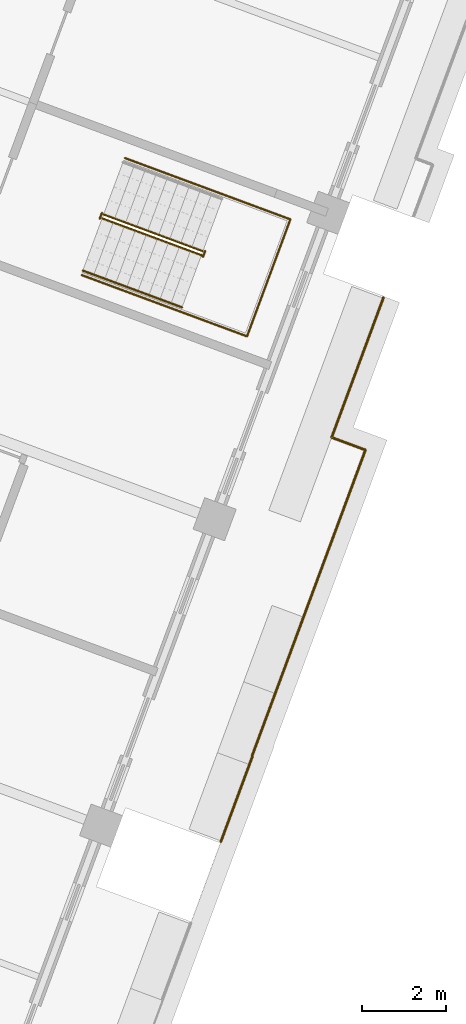
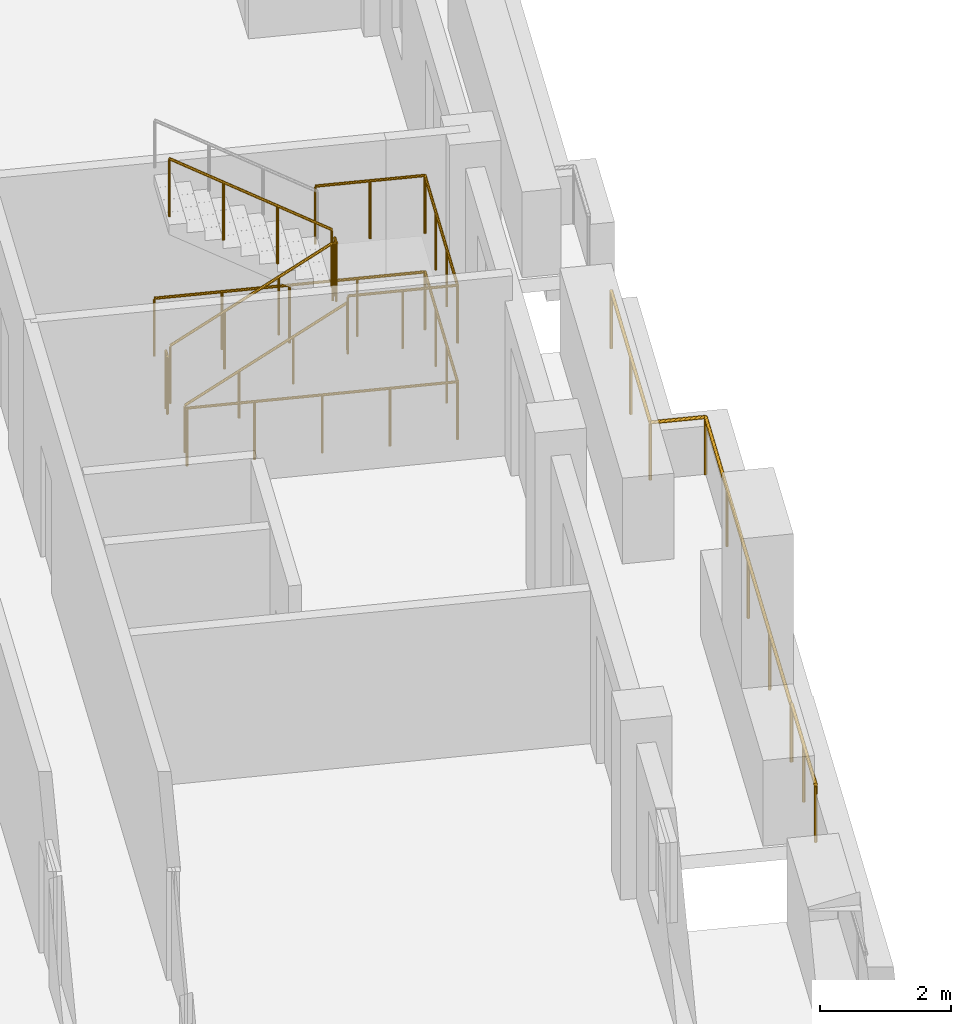
# One storey, part 14 of 18: 7 railings.
"""IFC4 building model written with IfcOpenShell, lengths in metres."""

from ifc_helpers import new_model, si_unit, direction, frame, origin, origin_2d, place, context, subcontext, project, spatial, circle, extrude, material, type_object, element, save


model = new_model("IFC4")

# Units and contexts
model_context = context("Model", 3, precision=1e-05, world=origin(), true_north=direction((0.0, 1.0)))
body_context = subcontext(model_context, "Body", "Model", "MODEL_VIEW")
ifc_project = project(units=[si_unit("LENGTHUNIT", "METRE"), si_unit("AREAUNIT", "SQUARE_METRE"), si_unit("VOLUMEUNIT", "CUBIC_METRE"), si_unit("PLANEANGLEUNIT", "RADIAN"), si_unit("MASSUNIT", "GRAM", prefix="KILO")], contexts=[model_context])

# Site, building, storey
site_placement = place(None, origin())
site = spatial("IfcSite", under=ifc_project, at=site_placement, CompositionType="ELEMENT")
building_placement = place(site_placement, origin())
building = spatial("IfcBuilding", under=site, at=building_placement, Name="Cantera Rosa Tower", CompositionType="ELEMENT")
storey_placement = place(building_placement, frame((0.0, 0.0, 316.89990234375)))
storey = spatial("IfcBuildingStorey", under=building, at=storey_placement, Name="L70", CompositionType="ELEMENT", Elevation=316.89990234375)

# Railings
ifc_material_1 = material(Name="Stainless steel and laminated glass", Category="steel")
railing_type_1 = type_object("IfcRailingType", Name="GUARD 1100", PredefinedType="BALUSTRADE", material=ifc_material_1)
railing_1_placement = place(storey_placement, frame((24.501708984375, 1.8408203125, 0.0)))
element("IfcRailing", 1, at=railing_1_placement, inside=storey, type_object=railing_type_1, Name="GUARD L70-6", PredefinedType="BALUSTRADE", context=body_context, shape_type="SweptSolid", body=[
    extrude(circle(Radius=0.030029296875, at=origin_2d()), frame((0.0, 0.0, 1.070068359375), z_axis=(-0.3474574284, -0.937695758469, 0.0), x_axis=(0.937695758469, -0.3474574284, 0.0)), (0.0, 0.0, 1.0), 3.556884765625),
    extrude(circle(Radius=0.030029296875, at=origin_2d()), frame((-1.23583984375, -3.335205078125, 1.070068359375), z_axis=(0.93769038975, -0.347471916809, 0.0), x_axis=(0.347471916809, 0.93769038975, 0.0)), (0.0, 0.0, 1.0), 0.85791015625),
    extrude(circle(Radius=0.030029296875, at=origin_2d()), frame((-0.431396484375, -3.63330078125, 1.070068359375), z_axis=(-0.347483265231, -0.937686184384, 0.0), x_axis=(0.937686184384, -0.347483265231, 0.0)), (0.0, 0.0, 1.0), 7.76708984375),
    extrude(circle(Radius=0.030029296875, at=origin_2d()), frame((-3.13037109375, -10.91650390625, 1.070068359375), z_axis=(0.936329177569, -0.351123441588, 0.0), x_axis=(0.351123441588, 0.936329177569, 0.0)), (0.0, 0.0, 1.0), 0.012451171875),
    extrude(circle(Radius=0.030029296875, at=origin_2d()), frame((-3.11865234375, -10.9208984375, 1.070068359375), z_axis=(-0.347383766327, -0.937723050208, 0.0), x_axis=(0.937723050208, -0.347383766327, 0.0)), (0.0, 0.0, 1.0), 2.176513671875),
    extrude(circle(Radius=0.02490234375, at=origin_2d()), origin(), (0.0, 0.0, 1.0), 1.0400390625),
    extrude(circle(Radius=0.02490234375, at=origin_2d()), frame((-0.617919921875, -1.66748046875, 0.0)), (0.0, 0.0, 1.0), 1.0400390625),
    extrude(circle(Radius=0.02490234375, at=origin_2d()), frame((-1.23583984375, -3.335205078125, 0.0)), (0.0, 0.0, 1.0), 1.0400390625),
    extrude(circle(Radius=0.02490234375, at=origin_2d()), frame((-0.431396484375, -3.63330078125, 0.0)), (0.0, 0.0, 1.0), 1.0400390625),
    extrude(circle(Radius=0.02490234375, at=origin_2d()), frame((-1.106201171875, -5.4541015625, 0.0)), (0.0, 0.0, 1.0), 1.0400390625),
    extrude(circle(Radius=0.02490234375, at=origin_2d()), frame((-1.78076171875, -7.27490234375, 0.0)), (0.0, 0.0, 1.0), 1.0400390625),
    extrude(circle(Radius=0.02490234375, at=origin_2d()), frame((-2.45556640625, -9.095703125, 0.0)), (0.0, 0.0, 1.0), 1.0400390625),
    extrude(circle(Radius=0.02490234375, at=origin_2d()), frame((-3.13037109375, -10.91650390625, 0.0)), (0.0, 0.0, 1.0), 1.0400390625),
    extrude(circle(Radius=0.02490234375, at=origin_2d()), frame((-3.11865234375, -10.9208984375, 0.0)), (0.0, 0.0, 1.0), 1.0400390625),
    extrude(circle(Radius=0.02490234375, at=origin_2d()), frame((-3.49658203125, -11.94140625, 0.0)), (0.0, 0.0, 1.0), 1.0400390625),
    extrude(circle(Radius=0.02490234375, at=origin_2d()), frame((-3.874755859375, -12.9619140625, 0.0)), (0.0, 0.0, 1.0), 1.0400390625),
])
ifc_material_2 = material(Name="Steel S355J2 (EN 10025-2)", Category="steel")
railing_type_2 = type_object("IfcRailingType", Name="STAIR GUARD 1100", PredefinedType="GUARDRAIL", material=ifc_material_2)
railing_2_placement = place(storey_placement, frame((17.802490234375, 3.721923828125, 0.18017578125)))
element("IfcRailing", 2, at=railing_2_placement, inside=storey, type_object=railing_type_2, Name="L70 ST-61 stair guard 1", PredefinedType="GUARDRAIL", context=body_context, shape_type="SweptSolid", body=[
    extrude(circle(Radius=0.02392578125, at=origin_2d()), frame((0.0, 0.0, 1.076171875), z_axis=(0.78878233546, -0.292319685639, 0.540713998944), x_axis=(0.347500508527, 0.937679794265, 0.0)), (0.0, 0.0, 1.0), 2.995849609375),
    extrude(circle(Radius=0.02392578125, at=origin_2d()), frame((2.363037109375, -0.875732421875, 2.69580078125), z_axis=(0.671593765389, -0.740919573429, 0.0), x_axis=(0.740919573429, 0.671593765389, 0.0)), (0.0, 0.0, 1.0), 0.056396484375),
    extrude(circle(Radius=0.02392578125, at=origin_2d()), frame((2.40087890625, -0.91748046875, 2.69580078125), z_axis=(0.348268249601, 0.937394914814, 0.0), x_axis=(-0.937394914814, 0.348268249601, 0.0)), (0.0, 0.0, 1.0), 0.14990234375),
    extrude(circle(Radius=0.02099609375, at=origin_2d()), origin(), (0.0, 0.0, 1.0), 1.052001953125),
    extrude(circle(Radius=0.02099609375, at=origin_2d()), frame((0.78759765625, -0.2919921875, 0.5400390625)), (0.0, 0.0, 1.0), 1.052001953125),
    extrude(circle(Radius=0.02099609375, at=origin_2d()), frame((1.575439453125, -0.583740234375, 1.079833984375)), (0.0, 0.0, 1.0), 1.052001953125),
    extrude(circle(Radius=0.02099609375, at=origin_2d()), frame((2.363037109375, -0.875732421875, 1.619873046875)), (0.0, 0.0, 1.0), 1.052001953125),
    extrude(circle(Radius=0.02099609375, at=origin_2d()), frame((2.40087890625, -0.91748046875, 1.619873046875)), (0.0, 0.0, 1.0), 1.052001953125),
    extrude(circle(Radius=0.02099609375, at=origin_2d()), frame((2.453125, -0.77685546875, 1.619873046875)), (0.0, 0.0, 1.0), 1.052001953125),
])
railing_3_placement = place(storey_placement, frame((20.19970703125, 2.93798828125, 1.97998046875)))
element("IfcRailing", 3, at=railing_3_placement, inside=storey, type_object=railing_type_2, Name="L70 ST-61 stair guard 2", PredefinedType="GUARDRAIL", context=body_context, shape_type="SweptSolid", body=[
    extrude(circle(Radius=0.02392578125, at=origin_2d()), frame((0.0, 0.0, 1.076171875), z_axis=(-0.788747577403, 0.292306804437, 0.540771662738), x_axis=(-0.347500508527, -0.937679794265, 0.0)), (0.0, 0.0, 1.0), 2.995849609375),
    extrude(circle(Radius=0.02099609375, at=origin_2d()), origin(), (0.0, 0.0, 1.0), 1.052001953125),
    extrude(circle(Radius=0.02099609375, at=origin_2d()), frame((-0.78759765625, 0.2919921875, 0.5400390625)), (0.0, 0.0, 1.0), 1.052001953125),
    extrude(circle(Radius=0.02099609375, at=origin_2d()), frame((-1.575439453125, 0.583740234375, 1.080078125)), (0.0, 0.0, 1.0), 1.052001953125),
    extrude(circle(Radius=0.02099609375, at=origin_2d()), frame((-2.363037109375, 0.875732421875, 1.6201171875)), (0.0, 0.0, 1.0), 1.052001953125),
])
railing_4_placement = place(storey_placement, frame((17.74658203125, 3.71484375, 0.0)))
element("IfcRailing", 4, at=railing_4_placement, inside=storey, type_object=railing_type_2, Name="L70 ST-61 stair guard 3", PredefinedType="GUARDRAIL", context=body_context, shape_type="SweptSolid", body=[
    extrude(circle(Radius=0.02392578125, at=origin_2d()), frame((0.0, 0.0, 1.076171875), z_axis=(0.348268249601, 0.937394914814, 0.0), x_axis=(-0.937394914814, 0.348268249601, 0.0)), (0.0, 0.0, 1.0), 0.14990234375),
    extrude(circle(Radius=0.02099609375, at=origin_2d()), origin(), (0.0, 0.0, 1.0), 1.052001953125),
    extrude(circle(Radius=0.02099609375, at=origin_2d()), frame((0.05224609375, 0.140625, 0.0)), (0.0, 0.0, 1.0), 1.052001953125),
])
railing_5_placement = place(storey_placement, frame((17.31494140625, 2.37109375, 0.0)))
element("IfcRailing", 5, at=railing_5_placement, inside=storey, type_object=railing_type_2, Name="L70 ST-61 stair guard 4", PredefinedType="GUARDRAIL", context=body_context, shape_type="SweptSolid", body=[
    extrude(circle(Radius=0.02392578125, at=origin_2d()), frame((0.0, 0.0, 1.076171875), z_axis=(0.937682096729, -0.3474942956, 0.0), x_axis=(0.3474942956, 0.937682096729, 0.0)), (0.0, 0.0, 1.0), 4.197998046875),
    extrude(circle(Radius=0.02392578125, at=origin_2d()), frame((3.936279296875, -1.458740234375, 1.076171875), z_axis=(0.347472311651, 0.937690243436, 0.0), x_axis=(-0.937690243436, 0.347472311651, 0.0)), (0.0, 0.0, 1.0), 2.969970703125),
    extrude(circle(Radius=0.02392578125, at=origin_2d()), frame((4.96826171875, 1.326171875, 1.076171875), z_axis=(-0.937682096729, 0.3474942956, 0.0), x_axis=(-0.3474942956, -0.937682096729, 0.0)), (0.0, 0.0, 1.0), 4.197998046875),
    extrude(circle(Radius=0.02099609375, at=origin_2d()), origin(), (0.0, 0.0, 1.0), 1.052001953125),
    extrude(circle(Radius=0.02099609375, at=origin_2d()), frame((0.984130859375, -0.36474609375, 0.0)), (0.0, 0.0, 1.0), 1.052001953125),
    extrude(circle(Radius=0.02099609375, at=origin_2d()), frame((1.96826171875, -0.7294921875, 0.0)), (0.0, 0.0, 1.0), 1.052001953125),
    extrude(circle(Radius=0.02099609375, at=origin_2d()), frame((2.9521484375, -1.093994140625, 0.0)), (0.0, 0.0, 1.0), 1.052001953125),
    extrude(circle(Radius=0.02099609375, at=origin_2d()), frame((3.936279296875, -1.458740234375, 0.0)), (0.0, 0.0, 1.0), 1.052001953125),
    extrude(circle(Radius=0.02099609375, at=origin_2d()), frame((4.2802734375, -0.530517578125, 0.0)), (0.0, 0.0, 1.0), 1.052001953125),
    extrude(circle(Radius=0.02099609375, at=origin_2d()), frame((4.624267578125, 0.39794921875, 0.0)), (0.0, 0.0, 1.0), 1.052001953125),
    extrude(circle(Radius=0.02099609375, at=origin_2d()), frame((4.96826171875, 1.326171875, 0.0)), (0.0, 0.0, 1.0), 1.052001953125),
    extrude(circle(Radius=0.02099609375, at=origin_2d()), frame((3.984130859375, 1.69091796875, 0.0)), (0.0, 0.0, 1.0), 1.052001953125),
    extrude(circle(Radius=0.02099609375, at=origin_2d()), frame((3.0, 2.0556640625, 0.0)), (0.0, 0.0, 1.0), 1.052001953125),
    extrude(circle(Radius=0.02099609375, at=origin_2d()), frame((2.01611328125, 2.420166015625, 0.0)), (0.0, 0.0, 1.0), 1.052001953125),
    extrude(circle(Radius=0.02099609375, at=origin_2d()), frame((1.031982421875, 2.784912109375, 0.0)), (0.0, 0.0, 1.0), 1.052001953125),
])
railing_6_placement = place(storey_placement, frame((19.6552734375, 1.50390625, 1.800048828125)))
element("IfcRailing", 6, at=railing_6_placement, inside=storey, type_object=railing_type_2, Name="L70 ST-61 stair guard 5", PredefinedType="GUARDRAIL", context=body_context, shape_type="SweptSolid", body=[
    extrude(circle(Radius=0.02392578125, at=origin_2d()), frame((0.0, 0.0, 1.076171875), z_axis=(0.937660486946, -0.347552602091, 0.0), x_axis=(0.347552602091, 0.937660486946, 0.0)), (0.0, 0.0, 1.0), 1.7021484375),
    extrude(circle(Radius=0.02392578125, at=origin_2d()), frame((1.595947265625, -0.591552734375, 1.076171875), z_axis=(0.347472311651, 0.937690243436, 0.0), x_axis=(-0.937690243436, 0.347472311651, 0.0)), (0.0, 0.0, 1.0), 2.969970703125),
    extrude(circle(Radius=0.02392578125, at=origin_2d()), frame((2.6279296875, 2.193359375, 1.076171875), z_axis=(-0.937660486946, 0.347552602091, 0.0), x_axis=(-0.347552602091, -0.937660486946, 0.0)), (0.0, 0.0, 1.0), 1.7021484375),
    extrude(circle(Radius=0.02099609375, at=origin_2d()), origin(), (0.0, 0.0, 1.0), 1.052001953125),
    extrude(circle(Radius=0.02099609375, at=origin_2d()), frame((0.7978515625, -0.2958984375, 0.0)), (0.0, 0.0, 1.0), 1.052001953125),
    extrude(circle(Radius=0.02099609375, at=origin_2d()), frame((1.595947265625, -0.591552734375, 0.0)), (0.0, 0.0, 1.0), 1.052001953125),
    extrude(circle(Radius=0.02099609375, at=origin_2d()), frame((1.93994140625, 0.336669921875, 0.0)), (0.0, 0.0, 1.0), 1.052001953125),
    extrude(circle(Radius=0.02099609375, at=origin_2d()), frame((2.283935546875, 1.26513671875, 0.0)), (0.0, 0.0, 1.0), 1.052001953125),
    extrude(circle(Radius=0.02099609375, at=origin_2d()), frame((2.6279296875, 2.193359375, 0.0)), (0.0, 0.0, 1.0), 1.052001953125),
    extrude(circle(Radius=0.02099609375, at=origin_2d()), frame((1.830078125, 2.4892578125, 0.0)), (0.0, 0.0, 1.0), 1.052001953125),
    extrude(circle(Radius=0.02099609375, at=origin_2d()), frame((1.031982421875, 2.784912109375, 0.0)), (0.0, 0.0, 1.0), 1.052001953125),
])
ifc_material_3 = material(Name="Steel S355J2 (EN 10025-2)", Category="steel")
railing_type_3 = type_object("IfcRailingType", Name="STAIR HANDRAIL 900", PredefinedType="HANDRAIL", material=ifc_material_3)
railing_7_placement = place(storey_placement, frame((17.341796875, 2.478515625, 0.18017578125)))
element("IfcRailing", 7, at=railing_7_placement, inside=storey, type_object=railing_type_3, Name="L70 ST-61 stair handrail 1", PredefinedType="HANDRAIL", context=body_context, shape_type="SweptSolid", body=[
    extrude(circle(Radius=0.02392578125, at=origin_2d()), frame((0.0, 0.0, 0.8759765625), z_axis=(0.78878233546, -0.292319685639, 0.540713998944), x_axis=(0.347500508527, 0.937679794265, 0.0)), (0.0, 0.0, 1.0), 2.995849609375),
    extrude(circle(Radius=0.02099609375, at=origin_2d()), origin(), (0.0, 0.0, 1.0), 0.851806640625),
    extrude(circle(Radius=0.02099609375, at=origin_2d()), frame((0.78759765625, -0.2919921875, 0.5400390625)), (0.0, 0.0, 1.0), 0.851806640625),
    extrude(circle(Radius=0.02099609375, at=origin_2d()), frame((1.575439453125, -0.583740234375, 1.079833984375)), (0.0, 0.0, 1.0), 0.851806640625),
    extrude(circle(Radius=0.02099609375, at=origin_2d()), frame((2.363037109375, -0.875732421875, 1.619873046875)), (0.0, 0.0, 1.0), 0.851806640625),
])

save(model, "model.ifc")
